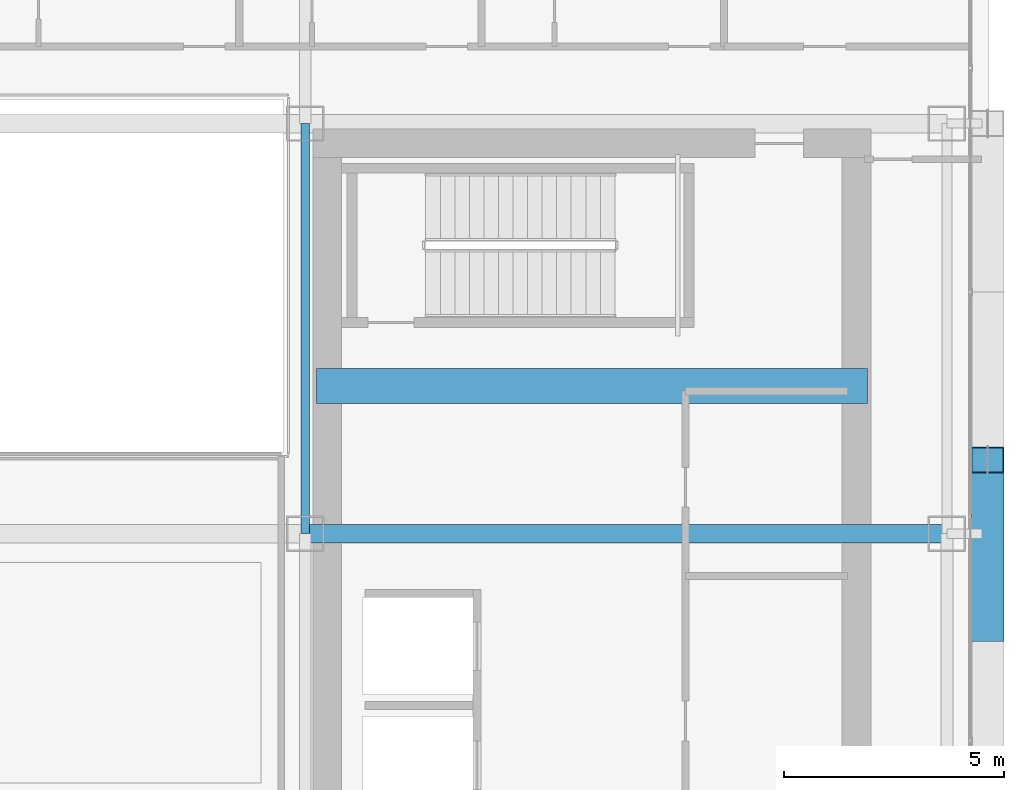
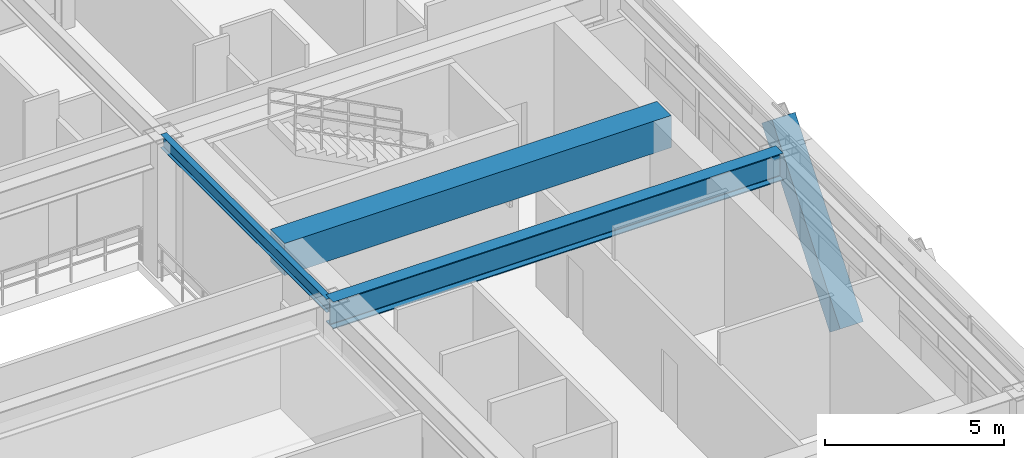
# One storey, part 15 of 38: 3 beams, 1 member.
"""IFC4 building model written with IfcOpenShell, lengths in metres."""

from ifc_helpers import new_model, si_unit, direction, frame, origin, origin_2d, place, context, subcontext, project, spatial, rectangle, hollow_rectangle, i_section, extrude, source, transform, mapped, material, material_profile, profile_set, type_object, element, save


model = new_model("IFC4")

# Units and contexts
model_context = context("Model", 3, precision=1e-05, world=origin(), true_north=direction((0.0, 1.0)))
body_context = subcontext(model_context, "Body", "Model", "MODEL_VIEW")
ifc_project = project(units=[si_unit("LENGTHUNIT", "METRE"), si_unit("AREAUNIT", "SQUARE_METRE"), si_unit("VOLUMEUNIT", "CUBIC_METRE"), si_unit("PLANEANGLEUNIT", "RADIAN"), si_unit("MASSUNIT", "GRAM", prefix="KILO")], contexts=[model_context])

# Site, building, storey
site_placement = place(None, origin())
site = spatial("IfcSite", under=ifc_project, at=site_placement, CompositionType="ELEMENT")
building_placement = place(site_placement, origin())
building = spatial("IfcBuilding", under=site, at=building_placement, Name="Ocotamira Hotel", CompositionType="ELEMENT")
storey_placement = place(building_placement, frame((0.0, 0.0, 92.39990234375)))
storey = spatial("IfcBuildingStorey", under=building, at=storey_placement, Name="L22", CompositionType="ELEMENT", Elevation=92.39990234375)

# Beams
ifc_material_1 = material(Name="Concrete C60/75", Category="concrete")
ifc_material_profile_1 = material_profile(ifc_material_1, rectangle(XDim=0.800048828125, YDim=1.10009765625, at=origin_2d()), Name="RC800X1100")
ifc_profile_set_1 = profile_set([ifc_material_profile_1], Name="Concrete C60/75")
beam_type_1 = type_object("IfcBeamType", Name="BM-LINK-RC800", PredefinedType="LINTEL", material=ifc_profile_set_1)
shared_shape_1 = source(origin(), body_context, "Body", "SweptSolid", [
    extrude(rectangle(XDim=0.800048828125, YDim=1.10009765625, at=origin_2d()), origin(), (0.0, 0.0, 1.0), 12.5),
])
beam_1_placement = place(storey_placement, frame((40.75, 31.5, 4.010009765625), z_axis=(1.0, 0.0, 0.0), x_axis=(0.0, 1.0, 0.0)))
element("IfcBeam", 1, at=beam_1_placement, inside=storey, type_object=beam_type_1, Name="L22 East Core Coupling Beam", PredefinedType="LINTEL", context=body_context, shape_type="MappedRepresentation", body=[
    mapped(shared_shape_1, transform((0.0, 0.0, 0.0), scale=1.0)),
])
ifc_material_2 = material(Name="Steel ASTM A992 Grade 50", Category="steel")
ifc_material_profile_2 = material_profile(ifc_material_2, i_section(OverallWidth=0.41796875, OverallDepth=0.927001953125, WebThickness=0.019287109375, FlangeThickness=0.031982421875, FilletRadius=0.02392578125, at=origin_2d()), Name="W36X231")
ifc_profile_set_2 = profile_set([ifc_material_profile_2], Name="Steel ASTM A992 Grade 50")
beam_type_2 = type_object("IfcBeamType", Name="BM-GIRD-W36X231", PredefinedType="BEAM", material=ifc_profile_set_2)
shared_shape_2 = source(origin(), body_context, "Body", "SweptSolid", [
    extrude(i_section(OverallWidth=0.41796875, OverallDepth=0.927001953125, WebThickness=0.019287109375, FlangeThickness=0.031982421875, FilletRadius=0.02392578125, at=origin_2d()), origin(), (0.0, 0.0, 1.0), 14.550048828125),
])
beam_2_placement = place(storey_placement, frame((40.5, 28.14990234375, 4.0966796875), z_axis=(1.0, 0.0, 0.0), x_axis=(0.0, 1.0, 0.0)))
element("IfcBeam", 2, at=beam_2_placement, inside=storey, type_object=beam_type_2, Name="L22 Girder Y28.15 X40.5-55.05", PredefinedType="BEAM", context=body_context, shape_type="MappedRepresentation", body=[
    mapped(shared_shape_2, transform((0.0, 0.0, 0.0), scale=1.0)),
])
ifc_material_profile_3 = material_profile(ifc_material_2, i_section(OverallWidth=0.18994140625, OverallDepth=0.45703125, WebThickness=0.009033203125, FlangeThickness=0.014404296875, FilletRadius=0.010009765625, at=origin_2d()), Name="W18X50")
ifc_profile_set_3 = profile_set([ifc_material_profile_3], Name="Steel ASTM A992 Grade 50")
beam_type_3 = type_object("IfcBeamType", Name="BM-SEC-W18X50", PredefinedType="JOIST", material=ifc_profile_set_3)
shared_shape_3 = source(origin(), body_context, "Body", "SweptSolid", [
    extrude(i_section(OverallWidth=0.18994140625, OverallDepth=0.45703125, WebThickness=0.009033203125, FlangeThickness=0.014404296875, FilletRadius=0.010009765625, at=origin_2d()), origin(), (0.0, 0.0, 1.0), 9.300048828125),
])
beam_3_placement = place(storey_placement, frame((40.5, 28.14990234375, 4.33154296875), z_axis=(0.0, 1.0, 0.0), x_axis=(-1.0, 0.0, 0.0)))
element("IfcBeam", 3, at=beam_3_placement, inside=storey, type_object=beam_type_3, Name="L22 Beam X40.5 Y28.15-37.45", PredefinedType="JOIST", context=body_context, shape_type="MappedRepresentation", body=[
    mapped(shared_shape_3, transform((0.0, 0.0, 0.0), scale=1.0)),
])

# Member
ifc_material_3 = material(Name="Pale-metal coated steel ASTM A913 Grade 65", Category="steel")
ifc_material_profile_4 = material_profile(ifc_material_3, hollow_rectangle(XDim=0.75, YDim=0.75, WallThickness=0.028076171875, at=origin_2d()), Name="BOX750X750X28")
ifc_profile_set_4 = profile_set([ifc_material_profile_4], Name="Pale-metal coated steel ASTM A913 Grade 65")
member_type = type_object("IfcMemberType", Name="MEM-EXO-BOX750", PredefinedType="BRACE", material=ifc_profile_set_4)
shared_shape_4 = source(origin(), body_context, "Body", "SweptSolid", [
    extrude(hollow_rectangle(XDim=0.75, YDim=0.75, WallThickness=0.028076171875, at=origin_2d()), origin(), (0.0, 0.0, 1.0), 6.16357421875),
])
member_placement = place(storey_placement, frame((55.969970703125, 26.0, -0.52978515625), z_axis=(0.0, 0.619216534821, 0.785220276741), x_axis=(-1.0, 0.0, 0.0)))
element("IfcMember", 4, at=member_placement, inside=storey, type_object=member_type, Name="L22 Exoskeleton Diagrid E1.2", PredefinedType="BRACE", context=body_context, shape_type="MappedRepresentation", body=[
    mapped(shared_shape_4, transform((0.0, 0.0, 0.0), scale=1.0)),
])

save(model, "model.ifc")
